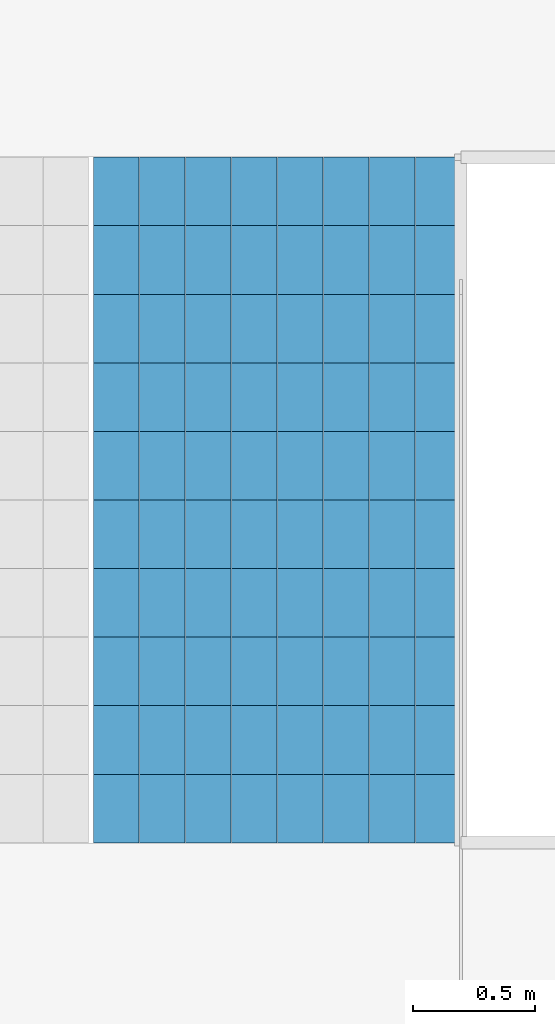
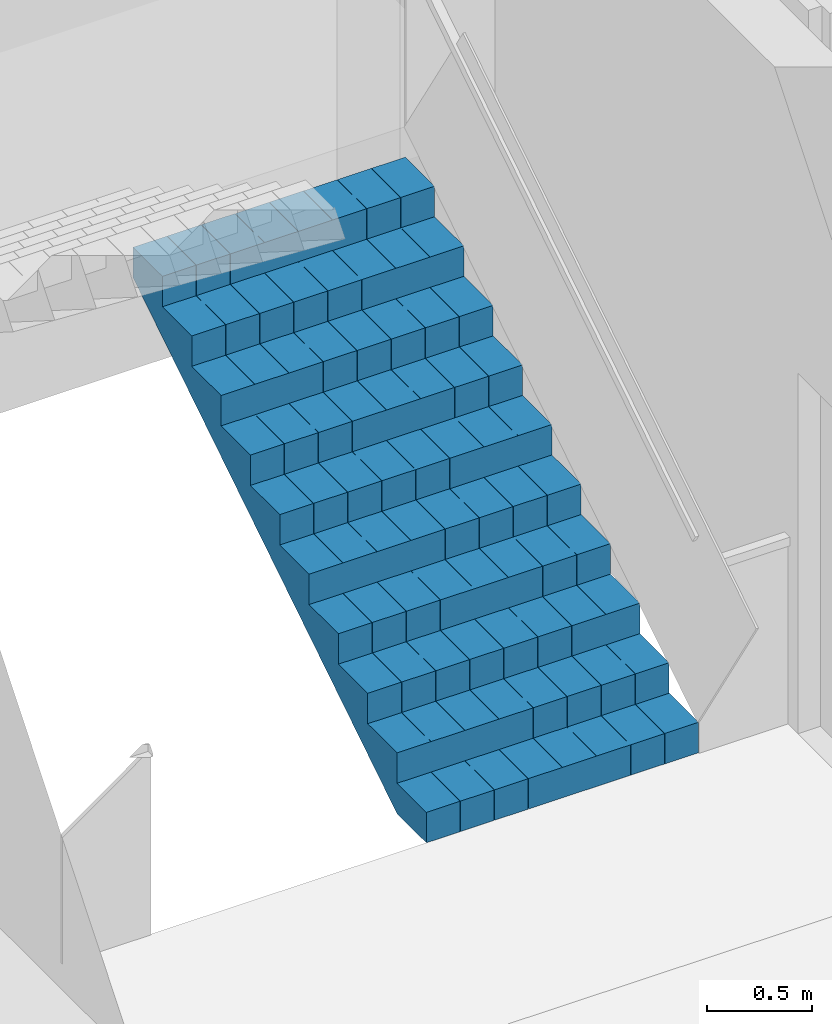
# One storey, part 16 of 18: 1 stair flight, 1 element without a shape of its own.
"""IFC4 building model written with IfcOpenShell, lengths in metres."""

from ifc_helpers import new_model, si_unit, direction, frame, origin, place, context, subcontext, project, spatial, polyline, outline, extrude, material, type_object, element, aggregate, save


model = new_model("IFC4")

# Units and contexts
model_context = context("Model", 3, precision=1e-05, world=origin(), true_north=direction((0.0, 1.0)))
body_context = subcontext(model_context, "Body", "Model", "MODEL_VIEW")
ifc_project = project(units=[si_unit("LENGTHUNIT", "METRE"), si_unit("AREAUNIT", "SQUARE_METRE"), si_unit("VOLUMEUNIT", "CUBIC_METRE"), si_unit("PLANEANGLEUNIT", "RADIAN"), si_unit("MASSUNIT", "GRAM", prefix="KILO")], contexts=[model_context])

# Site, building, storey
site_placement = place(None, origin())
site = spatial("IfcSite", under=ifc_project, at=site_placement, CompositionType="ELEMENT")
building_placement = place(site_placement, origin())
building = spatial("IfcBuilding", under=site, at=building_placement, Name="Kolab Exchange Tower", CompositionType="ELEMENT")
storey_placement = place(building_placement, frame((0.0, 0.0, 150.5)))
storey = spatial("IfcBuildingStorey", under=building, at=storey_placement, Name="L30", CompositionType="ELEMENT", Elevation=150.5)

# Stair, stair flight
ifc_material = material(Name="Concrete C50/60", Category="concrete")
stair_type = type_object("IfcStairType", Name="STAIR ST1 RISER 177.3", PredefinedType="HALF_TURN_STAIR", material=ifc_material)
stair_placement = place(storey_placement, origin())
stair = element("IfcStair", 1, at=stair_placement, inside=storey, type_object=stair_type, Name="Stair 1", PredefinedType="HALF_TURN_STAIR")
stair_flight_type = type_object("IfcStairFlightType", Name="STAIR FLIGHT 1500 RISER 177.3", PredefinedType="STRAIGHT", material=ifc_material)
stair_flight_placement = place(storey_placement, frame((-6.489990234375, 5.550048828125, 0.0), z_axis=(0.0, 0.0, 1.0), x_axis=(0.0, 1.0, 0.0)))
stair_flight = element("IfcStairFlight", 2, at=stair_flight_placement, type_object=stair_flight_type, Name="ST1 flight 1", NumberOfRisers=11, NumberOfTreads=10, PredefinedType="STRAIGHT", RiserHeight=0.177272727, TreadLength=0.28, context=body_context, shape_type="SweptSolid", body=[
    extrude(outline(polyline([(0.0, 0.0), (0.0, 0.17724609375), (0.280029296875, 0.17724609375), (0.280029296875, 0.3544921875), (0.56005859375, 0.3544921875), (0.56005859375, 0.53173828125), (0.840087890625, 0.53173828125), (0.840087890625, 0.708984375), (1.1201171875, 0.708984375), (1.1201171875, 0.886474609375), (1.39990234375, 0.886474609375), (1.39990234375, 1.063720703125), (1.679931640625, 1.063720703125), (1.679931640625, 1.240966796875), (1.9599609375, 1.240966796875), (1.9599609375, 1.418212890625), (2.239990234375, 1.418212890625), (2.239990234375, 1.595458984375), (2.52001953125, 1.595458984375), (2.52001953125, 1.772705078125), (2.800048828125, 1.772705078125), (2.800048828125, 1.949951171875), (2.800048828125, 1.59521484375), (0.2802734375, 0.0), (0.0, 0.0)])), frame((0.0, 0.75, 0.0), z_axis=(0.0, -1.0, 0.0), x_axis=(1.0, 0.0, 0.0)), (0.0, 0.0, 1.0), 0.185791015625),
    extrude(outline(polyline([(0.0, 0.0), (0.0, 0.17724609375), (0.280029296875, 0.17724609375), (0.280029296875, 0.3544921875), (0.56005859375, 0.3544921875), (0.56005859375, 0.53173828125), (0.840087890625, 0.53173828125), (0.840087890625, 0.708984375), (1.1201171875, 0.708984375), (1.1201171875, 0.886474609375), (1.39990234375, 0.886474609375), (1.39990234375, 1.063720703125), (1.679931640625, 1.063720703125), (1.679931640625, 1.240966796875), (1.9599609375, 1.240966796875), (1.9599609375, 1.418212890625), (2.239990234375, 1.418212890625), (2.239990234375, 1.595458984375), (2.52001953125, 1.595458984375), (2.52001953125, 1.772705078125), (2.800048828125, 1.772705078125), (2.800048828125, 1.949951171875), (2.800048828125, 1.59521484375), (0.2802734375, 0.0), (0.0, 0.0)])), frame((0.0, 0.562255859375, 0.0), z_axis=(0.0, -1.0, 0.0), x_axis=(1.0, 0.0, 0.0)), (0.0, 0.0, 1.0), 0.185791015625),
    extrude(outline(polyline([(0.0, 0.0), (0.0, 0.17724609375), (0.280029296875, 0.17724609375), (0.280029296875, 0.3544921875), (0.56005859375, 0.3544921875), (0.56005859375, 0.53173828125), (0.840087890625, 0.53173828125), (0.840087890625, 0.708984375), (1.1201171875, 0.708984375), (1.1201171875, 0.886474609375), (1.39990234375, 0.886474609375), (1.39990234375, 1.063720703125), (1.679931640625, 1.063720703125), (1.679931640625, 1.240966796875), (1.9599609375, 1.240966796875), (1.9599609375, 1.418212890625), (2.239990234375, 1.418212890625), (2.239990234375, 1.595458984375), (2.52001953125, 1.595458984375), (2.52001953125, 1.772705078125), (2.800048828125, 1.772705078125), (2.800048828125, 1.949951171875), (2.800048828125, 1.59521484375), (0.2802734375, 0.0), (0.0, 0.0)])), frame((0.0, 0.37451171875, 0.0), z_axis=(0.0, -1.0, 0.0), x_axis=(1.0, 0.0, 0.0)), (0.0, 0.0, 1.0), 0.185791015625),
    extrude(outline(polyline([(0.0, 0.0), (0.0, 0.17724609375), (0.280029296875, 0.17724609375), (0.280029296875, 0.3544921875), (0.56005859375, 0.3544921875), (0.56005859375, 0.53173828125), (0.840087890625, 0.53173828125), (0.840087890625, 0.708984375), (1.1201171875, 0.708984375), (1.1201171875, 0.886474609375), (1.39990234375, 0.886474609375), (1.39990234375, 1.063720703125), (1.679931640625, 1.063720703125), (1.679931640625, 1.240966796875), (1.9599609375, 1.240966796875), (1.9599609375, 1.418212890625), (2.239990234375, 1.418212890625), (2.239990234375, 1.595458984375), (2.52001953125, 1.595458984375), (2.52001953125, 1.772705078125), (2.800048828125, 1.772705078125), (2.800048828125, 1.949951171875), (2.800048828125, 1.59521484375), (0.2802734375, 0.0), (0.0, 0.0)])), frame((0.0, 0.186767578125, 0.0), z_axis=(0.0, -1.0, 0.0), x_axis=(1.0, 0.0, 0.0)), (0.0, 0.0, 1.0), 0.185791015625),
    extrude(outline(polyline([(0.0, 0.0), (0.0, 0.17724609375), (0.280029296875, 0.17724609375), (0.280029296875, 0.3544921875), (0.56005859375, 0.3544921875), (0.56005859375, 0.53173828125), (0.840087890625, 0.53173828125), (0.840087890625, 0.708984375), (1.1201171875, 0.708984375), (1.1201171875, 0.886474609375), (1.39990234375, 0.886474609375), (1.39990234375, 1.063720703125), (1.679931640625, 1.063720703125), (1.679931640625, 1.240966796875), (1.9599609375, 1.240966796875), (1.9599609375, 1.418212890625), (2.239990234375, 1.418212890625), (2.239990234375, 1.595458984375), (2.52001953125, 1.595458984375), (2.52001953125, 1.772705078125), (2.800048828125, 1.772705078125), (2.800048828125, 1.949951171875), (2.800048828125, 1.59521484375), (0.2802734375, 0.0), (0.0, 0.0)])), frame((0.0, -0.0009765625, 0.0), z_axis=(0.0, -1.0, 0.0), x_axis=(1.0, 0.0, 0.0)), (0.0, 0.0, 1.0), 0.185791015625),
    extrude(outline(polyline([(0.0, 0.0), (0.0, 0.17724609375), (0.280029296875, 0.17724609375), (0.280029296875, 0.3544921875), (0.56005859375, 0.3544921875), (0.56005859375, 0.53173828125), (0.840087890625, 0.53173828125), (0.840087890625, 0.708984375), (1.1201171875, 0.708984375), (1.1201171875, 0.886474609375), (1.39990234375, 0.886474609375), (1.39990234375, 1.063720703125), (1.679931640625, 1.063720703125), (1.679931640625, 1.240966796875), (1.9599609375, 1.240966796875), (1.9599609375, 1.418212890625), (2.239990234375, 1.418212890625), (2.239990234375, 1.595458984375), (2.52001953125, 1.595458984375), (2.52001953125, 1.772705078125), (2.800048828125, 1.772705078125), (2.800048828125, 1.949951171875), (2.800048828125, 1.59521484375), (0.2802734375, 0.0), (0.0, 0.0)])), frame((0.0, -0.188720703125, 0.0), z_axis=(0.0, -1.0, 0.0), x_axis=(1.0, 0.0, 0.0)), (0.0, 0.0, 1.0), 0.185791015625),
    extrude(outline(polyline([(0.0, 0.0), (0.0, 0.17724609375), (0.280029296875, 0.17724609375), (0.280029296875, 0.3544921875), (0.56005859375, 0.3544921875), (0.56005859375, 0.53173828125), (0.840087890625, 0.53173828125), (0.840087890625, 0.708984375), (1.1201171875, 0.708984375), (1.1201171875, 0.886474609375), (1.39990234375, 0.886474609375), (1.39990234375, 1.063720703125), (1.679931640625, 1.063720703125), (1.679931640625, 1.240966796875), (1.9599609375, 1.240966796875), (1.9599609375, 1.418212890625), (2.239990234375, 1.418212890625), (2.239990234375, 1.595458984375), (2.52001953125, 1.595458984375), (2.52001953125, 1.772705078125), (2.800048828125, 1.772705078125), (2.800048828125, 1.949951171875), (2.800048828125, 1.59521484375), (0.2802734375, 0.0), (0.0, 0.0)])), frame((0.0, -0.37646484375, 0.0), z_axis=(0.0, -1.0, 0.0), x_axis=(1.0, 0.0, 0.0)), (0.0, 0.0, 1.0), 0.185791015625),
    extrude(outline(polyline([(0.0, 0.0), (0.0, 0.17724609375), (0.280029296875, 0.17724609375), (0.280029296875, 0.3544921875), (0.56005859375, 0.3544921875), (0.56005859375, 0.53173828125), (0.840087890625, 0.53173828125), (0.840087890625, 0.708984375), (1.1201171875, 0.708984375), (1.1201171875, 0.886474609375), (1.39990234375, 0.886474609375), (1.39990234375, 1.063720703125), (1.679931640625, 1.063720703125), (1.679931640625, 1.240966796875), (1.9599609375, 1.240966796875), (1.9599609375, 1.418212890625), (2.239990234375, 1.418212890625), (2.239990234375, 1.595458984375), (2.52001953125, 1.595458984375), (2.52001953125, 1.772705078125), (2.800048828125, 1.772705078125), (2.800048828125, 1.949951171875), (2.800048828125, 1.59521484375), (0.2802734375, 0.0), (0.0, 0.0)])), frame((0.0, -0.564208984375, 0.0), z_axis=(0.0, -1.0, 0.0), x_axis=(1.0, 0.0, 0.0)), (0.0, 0.0, 1.0), 0.185791015625),
])
aggregate(stair, [stair_flight])

save(model, "model.ifc")
